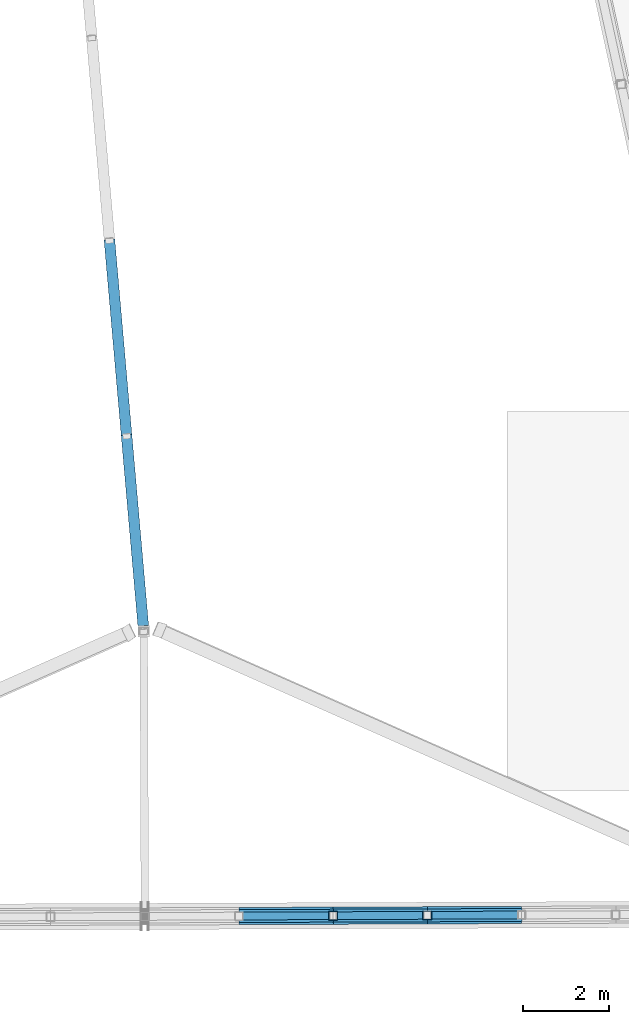
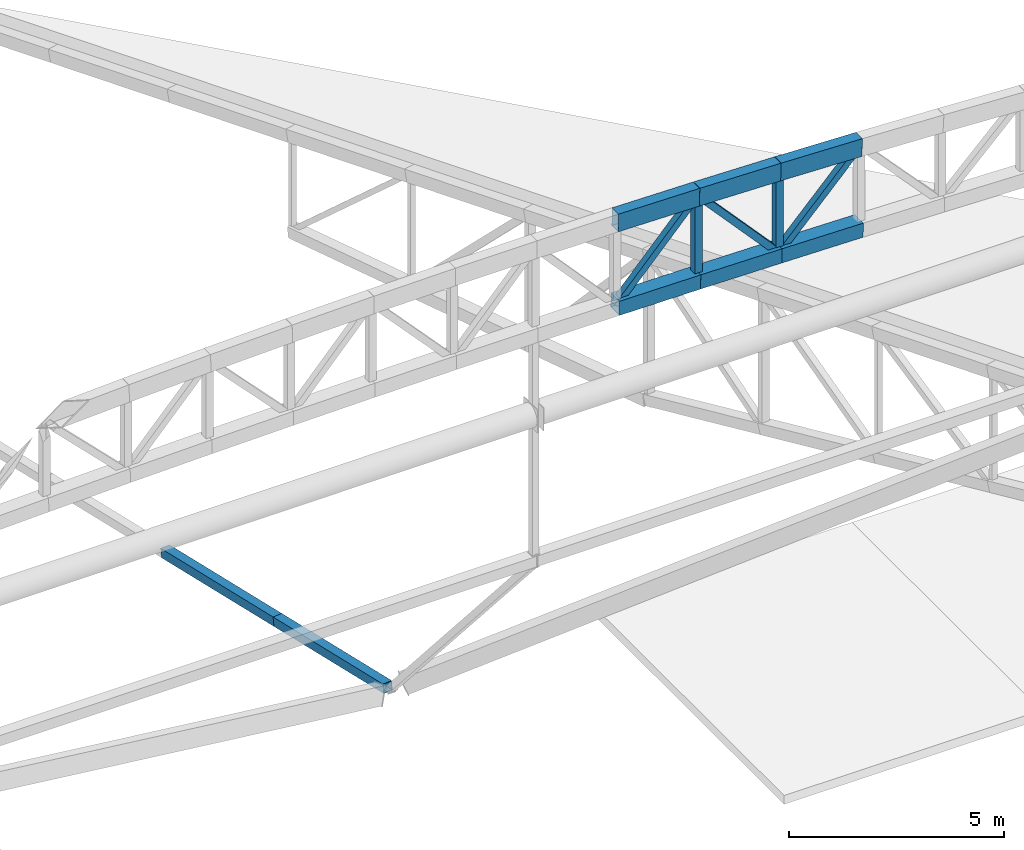
# One storey, part 26 of 188: 13 members.
"""IFC4 building model written with IfcOpenShell, lengths in metres."""

from ifc_helpers import new_model, si_unit, direction, frame, origin, origin_2d, place, context, subcontext, project, spatial, hollow_rectangle, extrude, material, material_profile, profile_set, type_object, element, save


model = new_model("IFC4")

# Units and contexts
model_context = context("Model", 3, precision=1e-05, world=origin(), true_north=direction((0.0, 1.0)))
body_context = subcontext(model_context, "Body", "Model", "MODEL_VIEW")
ifc_project = project(units=[si_unit("LENGTHUNIT", "METRE"), si_unit("AREAUNIT", "SQUARE_METRE"), si_unit("VOLUMEUNIT", "CUBIC_METRE"), si_unit("PLANEANGLEUNIT", "RADIAN"), si_unit("MASSUNIT", "GRAM", prefix="KILO")], contexts=[model_context])

# Site, building, storey
site_placement = place(None, origin())
site = spatial("IfcSite", under=ifc_project, at=site_placement, CompositionType="ELEMENT")
building_placement = place(site_placement, origin())
building = spatial("IfcBuilding", under=site, at=building_placement, Name="Meseta Stadium", CompositionType="ELEMENT")
storey_placement = place(building_placement, frame((0.0, 0.0, 30.0)))
storey = spatial("IfcBuildingStorey", under=building, at=storey_placement, Name="ROOF", CompositionType="ELEMENT", Elevation=30.0)

# Members
ifc_material_1 = material(Name="Steel S355", Category="steel")
ifc_material_profile_1 = material_profile(ifc_material_1, hollow_rectangle(XDim=0.300048828125, YDim=0.5, WallThickness=0.01611328125, at=origin_2d()), Name="RHS 500x300x16")
ifc_profile_set_1 = profile_set([ifc_material_profile_1], Name="Steel S355")
member_type_1 = type_object("IfcMemberType", Name="RHS 500x300x16 arch top chord", PredefinedType="CHORD", material=ifc_profile_set_1)
member_1_placement = place(storey_placement, frame((9.87890625, -105.214599609375, 20.281982421875), z_axis=(0.999850297588, 0.003906973363, -0.016855799368), x_axis=(-0.003907528502, 0.999992365581, 0.0)))
element("IfcMember", 1, at=member_1_placement, inside=storey, type_object=member_type_1, Name="GABLE ARCH GA-S top chord", PredefinedType="CHORD", context=body_context, shape_type="SweptSolid", body=[
    extrude(hollow_rectangle(XDim=0.300048828125, YDim=0.5, WallThickness=0.01611328125, at=origin_2d()), origin(), (0.0, 0.0, 1.0), 2.18701171875),
])
member_2_placement = place(storey_placement, frame((12.065673828125, -105.2060546875, 20.2451171875), z_axis=(0.999657450471, 0.003795037217, -0.025895548069), x_axis=(-0.003796310294, 0.999992793988, 0.0)))
element("IfcMember", 2, at=member_2_placement, inside=storey, type_object=member_type_1, Name="GABLE ARCH GA-S top chord", PredefinedType="CHORD", context=body_context, shape_type="SweptSolid", body=[
    extrude(hollow_rectangle(XDim=0.300048828125, YDim=0.5, WallThickness=0.01611328125, at=origin_2d()), origin(), (0.0, 0.0, 1.0), 2.187255859375),
])
member_3_placement = place(storey_placement, frame((14.252197265625, -105.19775390625, 20.1884765625), z_axis=(0.999382370878, 0.003905144912, -0.034923153074), x_axis=(-0.003907528502, 0.999992365581, 0.0)))
element("IfcMember", 3, at=member_3_placement, inside=storey, type_object=member_type_1, Name="GABLE ARCH GA-S top chord", PredefinedType="CHORD", context=body_context, shape_type="SweptSolid", body=[
    extrude(hollow_rectangle(XDim=0.300048828125, YDim=0.5, WallThickness=0.01611328125, at=origin_2d()), origin(), (0.0, 0.0, 1.0), 2.188232421875),
])
ifc_material_2 = material(Name="Steel S355", Category="steel")
ifc_material_profile_2 = material_profile(ifc_material_2, hollow_rectangle(XDim=0.179931640625, YDim=0.179931640625, WallThickness=0.00634765625, at=origin_2d()), Name="SHS 180x180x6.3")
ifc_profile_set_2 = profile_set([ifc_material_profile_2], Name="Steel S355")
member_type_2 = type_object("IfcMemberType", Name="SHS 180x180x6.3 arch diagonal", PredefinedType="BRACE", material=ifc_profile_set_2)
member_4_placement = place(storey_placement, frame((9.87890625, -105.214599609375, 17.89013671875), z_axis=(0.680448694066, 0.002658892966, 0.732790901302), x_axis=(-0.003907528502, 0.999992365581, 0.0)))
element("IfcMember", 4, at=member_4_placement, inside=storey, type_object=member_type_2, Name="GABLE ARCH GA-S diagonal", PredefinedType="BRACE", context=body_context, shape_type="SweptSolid", body=[
    extrude(hollow_rectangle(XDim=0.179931640625, YDim=0.179931640625, WallThickness=0.00634765625, at=origin_2d()), origin(), (0.0, 0.0, 1.0), 3.213623046875),
])
member_5_placement = place(storey_placement, frame((12.065673828125, -105.2060546875, 20.2451171875), z_axis=(0.672618265409, 0.002553486046, -0.739985235493), x_axis=(-0.003796310294, 0.999992793988, 0.0)))
element("IfcMember", 5, at=member_5_placement, inside=storey, type_object=member_type_2, Name="GABLE ARCH GA-S diagonal", PredefinedType="BRACE", context=body_context, shape_type="SweptSolid", body=[
    extrude(hollow_rectangle(XDim=0.179931640625, YDim=0.179931640625, WallThickness=0.00634765625, at=origin_2d()), origin(), (0.0, 0.0, 1.0), 3.250732421875),
])
member_6_placement = place(storey_placement, frame((14.252197265625, -105.19775390625, 17.839599609375), z_axis=(0.693387685773, 0.00270945283, 0.720559627015), x_axis=(-0.003907528502, 0.999992365581, 0.0)))
element("IfcMember", 6, at=member_6_placement, inside=storey, type_object=member_type_2, Name="GABLE ARCH GA-S diagonal", PredefinedType="BRACE", context=body_context, shape_type="SweptSolid", body=[
    extrude(hollow_rectangle(XDim=0.179931640625, YDim=0.179931640625, WallThickness=0.00634765625, at=origin_2d()), origin(), (0.0, 0.0, 1.0), 3.15380859375),
])
ifc_material_3 = material(Name="Steel S355", Category="steel")
ifc_material_profile_3 = material_profile(ifc_material_3, hollow_rectangle(XDim=0.199951171875, YDim=0.199951171875, WallThickness=0.008056640625, at=origin_2d()), Name="SHS 200x200x8")
ifc_profile_set_3 = profile_set([ifc_material_profile_3], Name="Steel S355")
member_type_3 = type_object("IfcMemberType", Name="SHS 200x200x8 arch vertical", PredefinedType="POST", material=ifc_profile_set_3)
member_7_placement = place(storey_placement, frame((12.065673828125, -105.2060546875, 17.870361328125), z_axis=(0.0, 0.0, 1.0), x_axis=(1.0, 0.0, 0.0)))
element("IfcMember", 7, at=member_7_placement, inside=storey, type_object=member_type_3, Name="GABLE ARCH GA-S vertical", PredefinedType="POST", context=body_context, shape_type="SweptSolid", body=[
    extrude(hollow_rectangle(XDim=0.199951171875, YDim=0.199951171875, WallThickness=0.008056640625, at=origin_2d()), origin(), (0.0, 0.0, 1.0), 2.374755859375),
])
member_8_placement = place(storey_placement, frame((14.252197265625, -105.19775390625, 17.839599609375), z_axis=(0.0, 0.0, 1.0), x_axis=(1.0, 0.0, 0.0)))
element("IfcMember", 8, at=member_8_placement, inside=storey, type_object=member_type_3, Name="GABLE ARCH GA-S vertical", PredefinedType="POST", context=body_context, shape_type="SweptSolid", body=[
    extrude(hollow_rectangle(XDim=0.199951171875, YDim=0.199951171875, WallThickness=0.008056640625, at=origin_2d()), origin(), (0.0, 0.0, 1.0), 2.348876953125),
])
ifc_material_4 = material(Name="Steel S355", Category="steel")
ifc_material_profile_4 = material_profile(ifc_material_4, hollow_rectangle(XDim=0.25, YDim=0.25, WallThickness=0.010009765625, at=origin_2d()), Name="SHS 250x250x10")
ifc_profile_set_4 = profile_set([ifc_material_profile_4], Name="Steel S355")
member_type_4 = type_object("IfcMemberType", Name="SHS 250x250x10 top chord", PredefinedType="CHORD", material=ifc_profile_set_4)
member_9_placement = place(storey_placement, frame((6.870849609375, -89.517822265625, 2.41259765625), z_axis=(0.08638797087, -0.985776845507, 0.144156613967), x_axis=(0.996182081801, 0.087299827599, 0.0)))
element("IfcMember", 9, at=member_9_placement, inside=storey, type_object=member_type_4, Name="ROOF TRUSS RT-47 top chord", PredefinedType="CHORD", context=body_context, shape_type="SweptSolid", body=[
    extrude(hollow_rectangle(XDim=0.25, YDim=0.25, WallThickness=0.010009765625, at=origin_2d()), origin(), (0.0, 0.0, 1.0), 4.6064453125),
])
member_10_placement = place(storey_placement, frame((7.268798828125, -94.058837890625, 3.07666015625), z_axis=(0.086383151398, -0.985777810676, 0.144152901925), x_axis=(0.996182512779, 0.087294909552, 0.0)))
element("IfcMember", 10, at=member_10_placement, inside=storey, type_object=member_type_4, Name="ROOF TRUSS RT-47 top chord", PredefinedType="CHORD", context=body_context, shape_type="SweptSolid", body=[
    extrude(hollow_rectangle(XDim=0.25, YDim=0.25, WallThickness=0.010009765625, at=origin_2d()), origin(), (0.0, 0.0, 1.0), 4.49658203125),
])
ifc_material_5 = material(Name="Steel S355", Category="steel")
ifc_material_profile_5 = material_profile(ifc_material_5, hollow_rectangle(XDim=0.39990234375, YDim=0.39990234375, WallThickness=0.01416015625, at=origin_2d()), Name="SHS 400x400x14.2")
ifc_profile_set_5 = profile_set([ifc_material_profile_5], Name="Steel S355")
member_type_5 = type_object("IfcMemberType", Name="SHS 400x400x14.2 arch bottom chord", PredefinedType="CHORD", material=ifc_profile_set_5)
for number, where, z_axis, x_axis, name in (
    (11, (9.87890625, -105.214599609375, 17.89013671875), (0.999951479234, 0.003907368737, -0.009042767647), (-0.003907528502, 0.999992365581, 0.0), "GABLE ARCH GA-S bottom chord"),
    (12, (12.065673828125, -105.2060546875, 17.870361328125), (0.999893845521, 0.003795934652, -0.014067287242), (-0.003796310294, 0.999992793988, 0.0), "GABLE ARCH GA-S bottom chord"),
):
    element("IfcMember", number, at=place(storey_placement, frame(where, z_axis=z_axis, x_axis=x_axis)), inside=storey, type_object=member_type_5, Name=name, PredefinedType="CHORD", context=body_context, shape_type="SweptSolid", body=[
        extrude(hollow_rectangle(XDim=0.39990234375, YDim=0.39990234375, WallThickness=0.01416015625, at=origin_2d()), origin(), (0.0, 0.0, 1.0), 2.186767578125),
    ])
member_11_placement = place(storey_placement, frame((14.252197265625, -105.19775390625, 17.839599609375), z_axis=(0.999810182336, 0.003906816611, -0.019087589726), x_axis=(-0.003907528502, 0.999992365581, 0.0)))
element("IfcMember", 13, at=member_11_placement, inside=storey, type_object=member_type_5, Name="GABLE ARCH GA-S bottom chord", PredefinedType="CHORD", context=body_context, shape_type="SweptSolid", body=[
    extrude(hollow_rectangle(XDim=0.39990234375, YDim=0.39990234375, WallThickness=0.01416015625, at=origin_2d()), origin(), (0.0, 0.0, 1.0), 2.187255859375),
])

save(model, "model.ifc")
